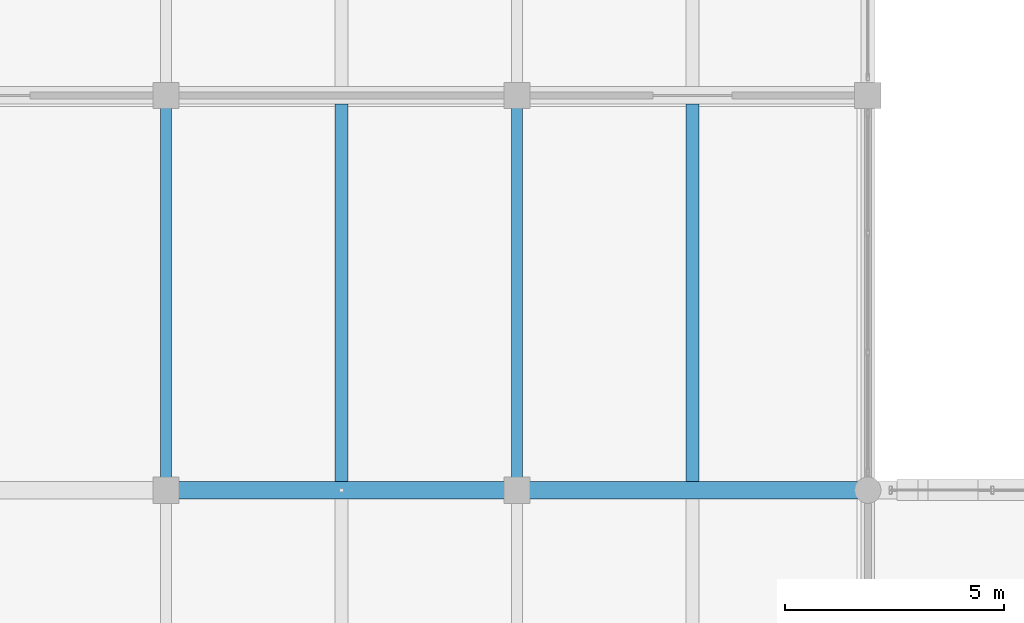
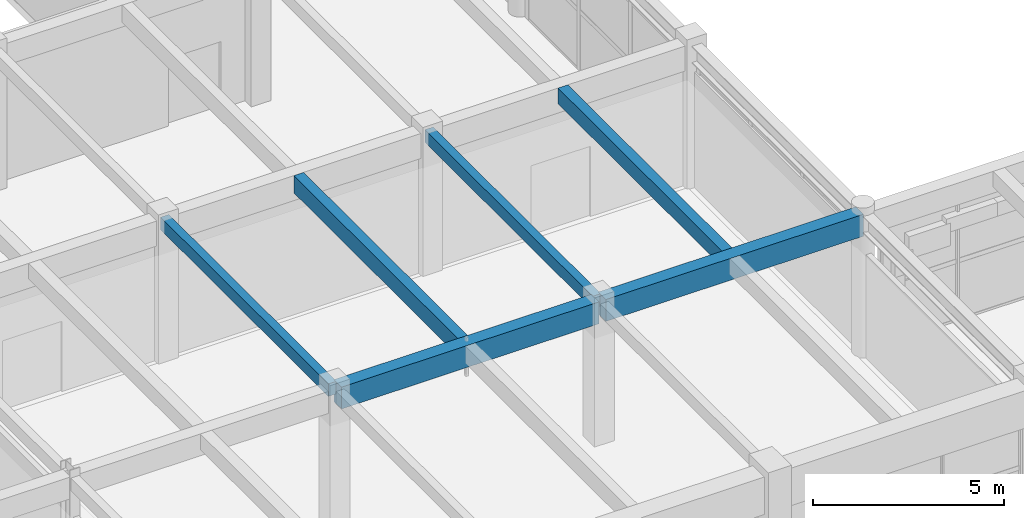
# One storey, part 43 of 144: 6 beams.
"""IFC4 building model written with IfcOpenShell, lengths in metres."""

import ifcopenshell
import ifcopenshell.guid

model = None  # the IFC model being written
_history = None  # IfcOwnerHistory: only IFC2X3 demands one
_inside = {}  # id of a spatial element -> (the spatial element, [elements in it])
_under = {}  # id of a project, library or spatial element -> (it, [spatial elements below it])
_declared = {}  # id of a project -> (the project, [libraries it declares])
_typed = {}  # id of a type object -> (the type object, [elements of that type])
_made_of = {}  # id of a material, layer set ... -> (it, [elements and type objects made of it])


def new_model(schema):
    """Start an empty IFC model of exactly this schema.

    Asked for "IFC4X3", IfcOpenShell would pick the latest addendum, in which some entities
    have other attributes; the version numbers below select the first issue.
    IFC2X3 requires an IfcOwnerHistory on every rooted entity: one is made here for all.
    """
    global model, _history
    if schema == "IFC4X3":
        model = ifcopenshell.file(schema_version=(4, 3, 0, 0))
    else:
        model = ifcopenshell.file(schema=schema)
    _inside.clear()
    _under.clear()
    _declared.clear()
    _typed.clear()
    _made_of.clear()
    _history = None
    if model.schema == "IFC2X3":
        org = make("IfcOrganization", Name="unknown")
        user = make(
            "IfcPersonAndOrganization",
            ThePerson=make("IfcPerson", FamilyName="unknown"),
            TheOrganization=org,
        )
        app = make(
            "IfcApplication",
            ApplicationDeveloper=org,
            Version="unknown",
            ApplicationFullName="unknown",
            ApplicationIdentifier="unknown",
        )
        _history = make(
            "IfcOwnerHistory",
            OwningUser=user,
            OwningApplication=app,
            ChangeAction="ADDED",
            CreationDate=0,
        )
    return model


def make(cls, **values):
    """One entity of the class cls with the attributes given. An attribute that is None is left unset."""
    return model.create_entity(
        cls, **{name: value for name, value in values.items() if value is not None}
    )


def rooted(cls, **values):
    """An entity with a GlobalId (a new one), such as an element, a storey or a relation."""
    return make(cls, GlobalId=ifcopenshell.guid.new(), OwnerHistory=_history, **values)


def si_unit(unit_type, name, prefix=None):
    """IfcSIUnit, for example si_unit("LENGTHUNIT", "METRE", prefix="MILLI")."""
    return make("IfcSIUnit", UnitType=unit_type, Prefix=prefix, Name=name)


def assignment(units):
    """IfcUnitAssignment: the units of a project."""
    return None if units is None else make("IfcUnitAssignment", Units=units)


def point(xyz):
    """IfcCartesianPoint."""
    return None if xyz is None else make("IfcCartesianPoint", Coordinates=xyz)


def direction(xyz):
    """IfcDirection."""
    return None if xyz is None else make("IfcDirection", DirectionRatios=xyz)


def frame(location, z_axis=None, x_axis=None):
    """IfcAxis2Placement3D, a coordinate frame: its origin and axes. An axis left out is left unset."""
    return make(
        "IfcAxis2Placement3D",
        Location=point(location),
        Axis=direction(z_axis),
        RefDirection=direction(x_axis),
    )


def frame_2d(location, x_axis=None):
    """IfcAxis2Placement2D, a coordinate frame in the plane: its origin and x axis."""
    return make(
        "IfcAxis2Placement2D", Location=point(location), RefDirection=direction(x_axis)
    )


def origin():
    """The frame at (0, 0, 0) with its axes left unset."""
    return frame((0.0, 0.0, 0.0))


def origin_2d():
    """The frame at (0, 0) in the plane with its x axis left unset."""
    return frame_2d((0.0, 0.0))


def place(relative_to, where):
    """IfcLocalPlacement: puts the frame where relative to a parent placement (None: the world)."""
    return make(
        "IfcLocalPlacement", PlacementRelTo=relative_to, RelativePlacement=where
    )


def context(
    kind, dimensions, precision=None, world=None, true_north=None, identifier=None
):
    """IfcGeometricRepresentationContext, for example the 3D "Model" context."""
    return make(
        "IfcGeometricRepresentationContext",
        ContextIdentifier=identifier,
        ContextType=kind,
        CoordinateSpaceDimension=dimensions,
        Precision=precision,
        WorldCoordinateSystem=world,
        TrueNorth=true_north,
    )


def subcontext(parent, identifier, kind, view, scale=None):
    """IfcGeometricRepresentationSubContext, for example "Body" below "Model"."""
    return make(
        "IfcGeometricRepresentationSubContext",
        ContextIdentifier=identifier,
        ContextType=kind,
        ParentContext=parent,
        TargetScale=scale,
        TargetView=view,
    )


def project(units=None, contexts=None):
    """IfcProject with its units and contexts."""
    return rooted(
        "IfcProject",
        Name="project",
        RepresentationContexts=contexts,
        UnitsInContext=assignment(units),
    )


def spatial(cls, under=None, at=None, **own):
    """A site, building, storey or space (cls), placed at a placement, below another one or the project."""
    s = rooted(cls, ObjectPlacement=at, **own)
    if under is not None:
        _under.setdefault(under.id(), (under, []))[1].append(s)
    return s


def profile(cls, at=None, kind="AREA", **sizes):
    """A parametric profile (cls). Its sizes go by their IFC names, for example OverallWidth=200.0."""
    return make(cls, ProfileType=kind, Position=at, **sizes)


def rectangle(**sizes):
    """IfcRectangleProfileDef."""
    return profile("IfcRectangleProfileDef", **sizes)


def extrude(swept, where, along, depth):
    """IfcExtrudedAreaSolid: the profile swept, set in the frame where, extruded along a direction by depth."""
    return make(
        "IfcExtrudedAreaSolid",
        SweptArea=swept,
        Position=where,
        ExtrudedDirection=direction(along),
        Depth=depth,
    )


def shape(context_of_items, identifier, shape_type, items):
    """IfcShapeRepresentation: the items that make up one representation, for example the "Body"."""
    return make(
        "IfcShapeRepresentation",
        ContextOfItems=context_of_items,
        RepresentationIdentifier=identifier,
        RepresentationType=shape_type,
        Items=items,
    )


def material(Name=None, Category=None):
    """IfcMaterial."""
    return make("IfcMaterial", Name=Name, Category=Category)


def material_profile(
    of_material, cross_section, Name=None, Category=None, Priority=None
):
    """IfcMaterialProfile: a cross section and its material."""
    return make(
        "IfcMaterialProfile",
        Name=Name,
        Material=of_material,
        Profile=cross_section,
        Priority=Priority,
        Category=Category,
    )


def profile_set(profiles, Name=None, composite=None):
    """IfcMaterialProfileSet."""
    return make(
        "IfcMaterialProfileSet",
        Name=Name,
        MaterialProfiles=profiles,
        CompositeProfile=composite,
    )


def made_of(thing, what):
    """Note that an element or type object is made of a material, layer set ...; save() writes the relation."""
    if what is not None:
        _made_of.setdefault(what.id(), (what, []))[1].append(thing)
    return thing


def type_object(cls, material=None, **own):
    """A type object (cls), such as IfcWallType, which elements share."""
    return made_of(rooted(cls, **own), material)


def element(
    cls,
    number,
    at=None,
    inside=None,
    cuts=None,
    type_object=None,
    material=None,
    context=None,
    identifier="Body",
    shape_type=None,
    held_by="IfcProductDefinitionShape",
    body=None,
    shapes=None,
    **own,
):
    """One element of the class cls, such as IfcWall. Its Tag is "e" and its number.

    at: its placement. inside: the storey or other place that contains it. cuts: it is an
    opening in that element (IfcRelVoidsElement). A single representation is given by context,
    identifier, shape_type and body (its items); several are given by shapes. held_by: the class
    of the entity that holds the representations. save() writes the other relations.
    """
    e = rooted(cls, Tag="e%d" % number, ObjectPlacement=at, **own)
    if body is not None:
        shapes = [shape(context, identifier, shape_type, body)]
    if shapes is not None:
        e.Representation = make(held_by, Representations=shapes)
    if inside is not None:
        _inside.setdefault(inside.id(), (inside, []))[1].append(e)
    if cuts is not None:
        rooted(
            "IfcRelVoidsElement", RelatingBuildingElement=cuts, RelatedOpeningElement=e
        )
    if type_object is not None:
        _typed.setdefault(type_object.id(), (type_object, []))[1].append(e)
    return made_of(e, material)


def aggregate(whole, parts):
    """IfcRelAggregates: a whole, such as a stair, and the parts it consists of."""
    return rooted("IfcRelAggregates", RelatingObject=whole, RelatedObjects=parts)


def save(model, path):
    """Write the relations noted so far, then the file.

    IfcRelAggregates (storeys below a building ...), IfcRelContainedInSpatialStructure (elements
    in a storey), IfcRelDefinesByType, IfcRelAssociatesMaterial and IfcRelDeclares: one each for
    every whole, place, type object, material and project.
    """
    for whole, parts in _under.values():
        aggregate(whole, parts)
    for where, things in _inside.values():
        rooted(
            "IfcRelContainedInSpatialStructure",
            RelatedElements=things,
            RelatingStructure=where,
        )
    for kind, things in _typed.values():
        rooted("IfcRelDefinesByType", RelatedObjects=things, RelatingType=kind)
    for what, things in _made_of.values():
        rooted("IfcRelAssociatesMaterial", RelatedObjects=things, RelatingMaterial=what)
    for by, libraries in _declared.values():
        rooted("IfcRelDeclares", RelatingContext=by, RelatedDefinitions=libraries)
    model.write(path)


model = new_model("IFC4")

# Units and contexts
model_context = context("Model", 3, precision=1e-05, world=origin(), true_north=direction((0.0, 1.0)))
body_context = subcontext(model_context, "Body", "Model", "MODEL_VIEW")
ifc_project = project(units=[si_unit("LENGTHUNIT", "METRE"), si_unit("AREAUNIT", "SQUARE_METRE"), si_unit("VOLUMEUNIT", "CUBIC_METRE"), si_unit("PLANEANGLEUNIT", "RADIAN"), si_unit("MASSUNIT", "GRAM", prefix="KILO")], contexts=[model_context])

# Site, building, storey
site_placement = place(None, origin())
site = spatial("IfcSite", under=ifc_project, at=site_placement, CompositionType="ELEMENT")
building_placement = place(site_placement, origin())
building = spatial("IfcBuilding", under=site, at=building_placement, Name="Varnabhumi Central Station", CompositionType="ELEMENT")
storey_placement = place(building_placement, frame((0.0, 0.0, 4.800048828125)))
storey = spatial("IfcBuildingStorey", under=building, at=storey_placement, Name="L01", CompositionType="ELEMENT", Elevation=4.800048828125)

# Beams
ifc_material_1 = material(Name="Concrete M35", Category="concrete")
ifc_material_profile_1 = material_profile(ifc_material_1, rectangle(XDim=0.25, YDim=0.39990234375, at=origin_2d()), Name="Concrete M35", Category="concrete")
ifc_profile_set_1 = profile_set([ifc_material_profile_1], Name="Concrete M35")
beam_type_1 = type_object("IfcBeamType", Name="BM-RC-250x400", PredefinedType="LINTEL", material=ifc_profile_set_1)
for number, where, z_axis, x_axis, name in (
    (1, (32.0, 89.10009765625, 4.349853515625), (0.0, 1.0, 0.0), (-1.0, 0.0, 0.0), "Beam L01-5:L-M"),
    (2, (40.0, 89.10009765625, 4.349853515625), (0.0, 1.0, 0.0), (-1.0, 0.0, 0.0), "Beam L01-6:L-M"),
):
    element("IfcBeam", number, at=place(storey_placement, frame(where, z_axis=z_axis, x_axis=x_axis)), inside=storey, type_object=beam_type_1, Name=name, PredefinedType="LINTEL", context=body_context, shape_type="SweptSolid", body=[
        extrude(rectangle(XDim=0.25, YDim=0.39990234375, at=origin_2d()), origin(), (0.0, 0.0, 1.0), 8.7998046875),
    ])
ifc_material_2 = material(Name="Concrete M40", Category="concrete")
ifc_material_profile_2 = material_profile(ifc_material_2, rectangle(XDim=0.300048828125, YDim=0.5, at=origin_2d()), Name="Concrete M40", Category="concrete")
ifc_profile_set_2 = profile_set([ifc_material_profile_2], Name="Concrete M40")
beam_type_2 = type_object("IfcBeamType", Name="BM-RC-300x500", PredefinedType="JOIST", material=ifc_profile_set_2)
beam_1_placement = place(storey_placement, frame((44.0, 89.199951171875, 4.300048828125), z_axis=(0.0, 1.0, 0.0), x_axis=(-1.0, 0.0, 0.0)))
element("IfcBeam", 3, at=beam_1_placement, inside=storey, type_object=beam_type_2, Name="Secondary Joist L01-6/7:L-M", PredefinedType="JOIST", context=body_context, shape_type="SweptSolid", body=[
    extrude(rectangle(XDim=0.300048828125, YDim=0.5, at=origin_2d()), origin(), (0.0, 0.0, 1.0), 8.60009765625),
])
ifc_material_profile_3 = material_profile(ifc_material_2, rectangle(XDim=0.300048828125, YDim=0.550048828125, at=origin_2d()), Name="Concrete M40", Category="concrete")
ifc_profile_set_3 = profile_set([ifc_material_profile_3], Name="Concrete M40")
beam_type_3 = type_object("IfcBeamType", Name="BM-RC-300x550", PredefinedType="JOIST", material=ifc_profile_set_3)
beam_2_placement = place(storey_placement, frame((36.0, 89.199951171875, 4.27490234375), z_axis=(0.0, 1.0, 0.0), x_axis=(-1.0, 0.0, 0.0)))
element("IfcBeam", 4, at=beam_2_placement, inside=storey, type_object=beam_type_3, Name="Secondary Joist L01-5/6:L-M", PredefinedType="JOIST", context=body_context, shape_type="SweptSolid", body=[
    extrude(rectangle(XDim=0.300048828125, YDim=0.550048828125, at=origin_2d()), origin(), (0.0, 0.0, 1.0), 8.60009765625),
])
ifc_material_profile_4 = material_profile(ifc_material_2, rectangle(XDim=0.39990234375, YDim=0.699951171875, at=origin_2d()), Name="Concrete M40", Category="concrete")
ifc_profile_set_4 = profile_set([ifc_material_profile_4], Name="Concrete M40")
beam_type_4 = type_object("IfcBeamType", Name="BM-RC-400x700", PredefinedType="BEAM", material=ifc_profile_set_4)
for number, where, z_axis, x_axis, name in (
    (5, (32.10009765625, 89.0, 4.199951171875), (1.0, 0.0, 0.0), (0.0, 1.0, 0.0), "Beam L01-L:5-6"),
    (6, (40.10009765625, 89.0, 4.199951171875), (1.0, 0.0, 0.0), (0.0, 1.0, 0.0), "Beam L01-L:6-7"),
):
    element("IfcBeam", number, at=place(storey_placement, frame(where, z_axis=z_axis, x_axis=x_axis)), inside=storey, type_object=beam_type_4, Name=name, PredefinedType="BEAM", context=body_context, shape_type="SweptSolid", body=[
        extrude(rectangle(XDim=0.39990234375, YDim=0.699951171875, at=origin_2d()), origin(), (0.0, 0.0, 1.0), 7.7998046875),
    ])

save(model, "model.ifc")
